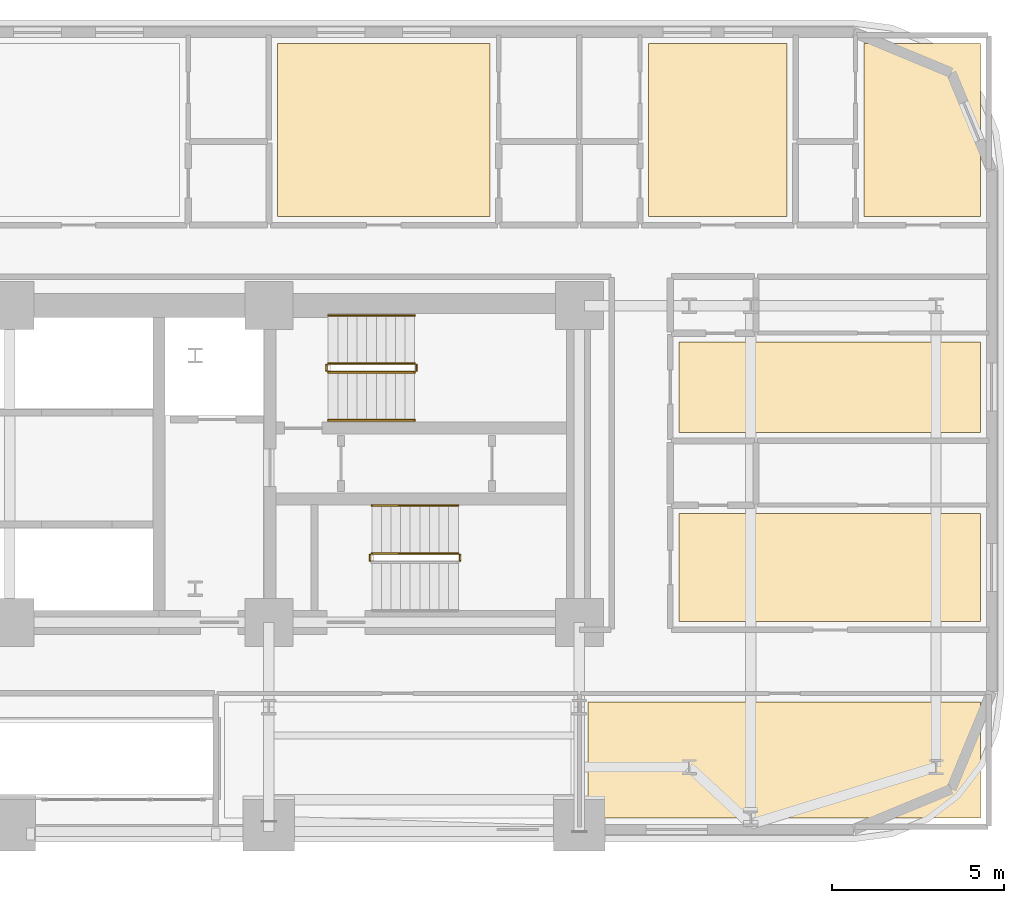
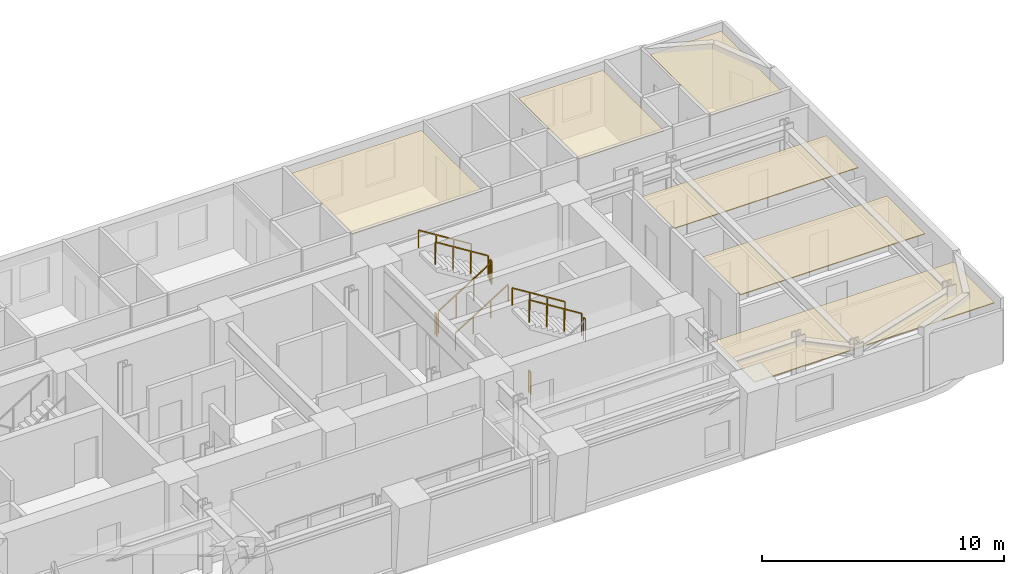
# One storey, part 16 of 16: 10 railings, 6 coverings.
"""IFC4 building model written with IfcOpenShell, lengths in metres."""

from ifc_helpers import new_model, si_unit, direction, frame, origin, origin_2d, place, context, subcontext, project, spatial, polyline, rectangle, outline, extrude, material, layer, layer_set, type_object, element, save


model = new_model("IFC4")

# Units and contexts
model_context = context("Model", 3, precision=1e-05, world=origin(), true_north=direction((0.0, 1.0)))
body_context = subcontext(model_context, "Body", "Model", "MODEL_VIEW")
ifc_project = project(units=[si_unit("LENGTHUNIT", "METRE"), si_unit("AREAUNIT", "SQUARE_METRE"), si_unit("VOLUMEUNIT", "CUBIC_METRE"), si_unit("PLANEANGLEUNIT", "RADIAN"), si_unit("MASSUNIT", "GRAM", prefix="KILO")], contexts=[model_context])

# Site, building, storey
site_placement = place(None, origin())
site = spatial("IfcSite", under=ifc_project, at=site_placement, CompositionType="ELEMENT")
building_placement = place(site_placement, origin())
building = spatial("IfcBuilding", under=site, at=building_placement, Name="Zarnavel Station Tower", CompositionType="ELEMENT")
storey_placement = place(building_placement, frame((0.0, 0.0, 46.5)))
storey = spatial("IfcBuildingStorey", under=building, at=storey_placement, Name="L12", CompositionType="ELEMENT", Elevation=46.5)

# Coverings
ifc_material_1 = material(Name="Perforated Gypsum and Mineral-Wool Acoustic Ceiling", Category="concrete")
ifc_layer = layer(ifc_material_1, 0.0400390625)
ifc_layer_set = layer_set([ifc_layer], Name="COV_CEIL_ACOUSTIC")
covering_type = type_object("IfcCoveringType", Name="COV_CEIL_ACOUSTIC", PredefinedType="CEILING", material=ifc_layer_set)
covering_1_placement = place(storey_placement, frame((0.0, 0.0, 2.919921875)))
element("IfcCovering", 1, at=covering_1_placement, inside=storey, type_object=covering_type, Name="L12 FNE1R Acoustic Ceiling", PredefinedType="CEILING", context=body_context, shape_type="SweptSolid", body=[
    extrude(outline(polyline([(48.300048828125, 27.85009765625), (57.090087890625, 27.85009765625), (57.090087890625, 30.986083984375), (48.300048828125, 30.986083984375), (48.300048828125, 27.85009765625)])), origin(), (0.0, 0.0, 1.0), 0.0400390625),
])
covering_2_placement = place(storey_placement, frame((0.0, 0.0, 2.919921875)))
element("IfcCovering", 2, at=covering_2_placement, inside=storey, type_object=covering_type, Name="L12 FNE2R Acoustic Ceiling", PredefinedType="CEILING", context=body_context, shape_type="SweptSolid", body=[
    extrude(outline(polyline([(48.300048828125, 33.35888671875), (57.090087890625, 33.35888671875), (57.090087890625, 36.0), (48.300048828125, 36.0), (48.300048828125, 33.35888671875)])), origin(), (0.0, 0.0, 1.0), 0.0400390625),
])
covering_3_placement = place(storey_placement, frame((0.0, 0.0, 2.919921875)))
element("IfcCovering", 3, at=covering_3_placement, inside=storey, type_object=covering_type, Name="L12 HN4R Acoustic Ceiling", PredefinedType="CEILING", context=body_context, shape_type="SweptSolid", body=[
    extrude(outline(polyline([(36.60009765625, 39.64990234375), (42.800048828125, 39.64990234375), (42.800048828125, 44.68994140625), (36.60009765625, 44.68994140625), (36.60009765625, 39.64990234375)])), origin(), (0.0, 0.0, 1.0), 0.0400390625),
])
covering_4_placement = place(storey_placement, frame((0.0, 0.0, 2.919921875)))
element("IfcCovering", 4, at=covering_4_placement, inside=storey, type_object=covering_type, Name="L12 HN5R Acoustic Ceiling", PredefinedType="CEILING", context=body_context, shape_type="SweptSolid", body=[
    extrude(outline(polyline([(47.4150390625, 39.64990234375), (51.4541015625, 39.64990234375), (51.4541015625, 44.68994140625), (47.4150390625, 44.68994140625), (47.4150390625, 39.64990234375)])), origin(), (0.0, 0.0, 1.0), 0.0400390625),
])
covering_5_placement = place(storey_placement, frame((0.0, 0.0, 2.919921875)))
element("IfcCovering", 5, at=covering_5_placement, inside=storey, type_object=covering_type, Name="L12 HN6R Acoustic Ceiling", PredefinedType="CEILING", context=body_context, shape_type="SweptSolid", body=[
    extrude(outline(polyline([(53.7041015625, 39.64990234375), (57.090087890625, 39.64990234375), (57.090087890625, 44.68994140625), (53.7041015625, 44.68994140625), (53.7041015625, 39.64990234375)])), origin(), (0.0, 0.0, 1.0), 0.0400390625),
])
covering_6_placement = place(storey_placement, frame((0.0, 0.0, 2.919921875)))
element("IfcCovering", 6, at=covering_6_placement, inside=storey, type_object=covering_type, Name="L12 Z1SYN Acoustic Ceiling", PredefinedType="CEILING", context=body_context, shape_type="SweptSolid", body=[
    extrude(outline(polyline([(45.64990234375, 22.110107421875), (57.090087890625, 22.110107421875), (57.090087890625, 25.5), (45.64990234375, 25.5), (45.64990234375, 22.110107421875)])), origin(), (0.0, 0.0, 1.0), 0.0400390625),
])

# Railings
ifc_material_2 = material(Name="Painted Steel S355J2 Balustrade", Category="steel")
railing_type_1 = type_object("IfcRailingType", Name="GR_INT_1150", PredefinedType="GUARDRAIL", material=ifc_material_2)
railing_1_placement = place(storey_placement, frame((38.080078125, 35.110107421875, 0.175048828125)))
element("IfcRailing", 7, at=railing_1_placement, inside=storey, type_object=railing_type_1, Name="L12 ST2 stair guard 1", PredefinedType="GUARDRAIL", context=body_context, shape_type="SweptSolid", body=[
    extrude(rectangle(XDim=0.048095703125, YDim=0.048095703125, at=origin_2d()), frame((0.001708984375, 0.0, 1.126953125), z_axis=(0.848007534815, 0.0, 0.529984170421), x_axis=(0.0, 1.0, 0.0)), (0.0, 0.0, 1.0), 2.9677734375),
    extrude(rectangle(XDim=0.0419921875, YDim=0.0419921875, at=origin_2d()), origin(), (0.0, 0.0, 1.0), 1.101806640625),
    extrude(rectangle(XDim=0.0419921875, YDim=0.0419921875, at=origin_2d()), frame((0.840087890625, 0.0, 0.52490234375)), (0.0, 0.0, 1.0), 1.101806640625),
    extrude(rectangle(XDim=0.0419921875, YDim=0.0419921875, at=origin_2d()), frame((1.679931640625, 0.0, 1.050048828125)), (0.0, 0.0, 1.0), 1.101806640625),
    extrude(rectangle(XDim=0.0419921875, YDim=0.0419921875, at=origin_2d()), frame((2.52001953125, 0.0, 1.574951171875)), (0.0, 0.0, 1.0), 1.101806640625),
])
railing_2_placement = place(storey_placement, frame((40.64990234375, 35.159912109375, 1.75)))
element("IfcRailing", 8, at=railing_2_placement, inside=storey, type_object=railing_type_1, Name="L12 ST2 stair guard 2", PredefinedType="GUARDRAIL", context=body_context, shape_type="SweptSolid", body=[
    extrude(rectangle(XDim=0.048095703125, YDim=0.048095703125, at=origin_2d()), frame((0.0, 0.001953125, 1.1259765625), z_axis=(0.0, 1.0, 0.0), x_axis=(-1.0, 0.0, 0.0)), (0.0, 0.0, 1.0), 0.15625),
    extrude(rectangle(XDim=0.0419921875, YDim=0.0419921875, at=origin_2d()), origin(), (0.0, 0.0, 1.0), 1.101806640625),
    extrude(rectangle(XDim=0.0419921875, YDim=0.0419921875, at=origin_2d()), frame((0.0, 0.16015625, 0.0)), (0.0, 0.0, 1.0), 1.101806640625),
])
railing_3_placement = place(storey_placement, frame((40.60009765625, 35.3701171875, 1.925048828125)))
element("IfcRailing", 9, at=railing_3_placement, inside=storey, type_object=railing_type_1, Name="L12 ST2 stair guard 3", PredefinedType="GUARDRAIL", context=body_context, shape_type="SweptSolid", body=[
    extrude(rectangle(XDim=0.048095703125, YDim=0.048095703125, at=origin_2d()), frame((-0.001708984375, 0.0, 1.126953125), z_axis=(-0.848007534815, 0.0, 0.529984170421), x_axis=(0.0, -1.0, 0.0)), (0.0, 0.0, 1.0), 2.9677734375),
    extrude(rectangle(XDim=0.0419921875, YDim=0.0419921875, at=origin_2d()), origin(), (0.0, 0.0, 1.0), 1.101806640625),
    extrude(rectangle(XDim=0.0419921875, YDim=0.0419921875, at=origin_2d()), frame((-0.840087890625, 0.0, 0.52490234375)), (0.0, 0.0, 1.0), 1.101806640625),
    extrude(rectangle(XDim=0.0419921875, YDim=0.0419921875, at=origin_2d()), frame((-1.679931640625, 0.0, 1.050048828125)), (0.0, 0.0, 1.0), 1.101806640625),
    extrude(rectangle(XDim=0.0419921875, YDim=0.0419921875, at=origin_2d()), frame((-2.52001953125, 0.0, 1.574951171875)), (0.0, 0.0, 1.0), 1.101806640625),
])
railing_4_placement = place(storey_placement, frame((38.030029296875, 35.159912109375, 0.0)))
element("IfcRailing", 10, at=railing_4_placement, inside=storey, type_object=railing_type_1, Name="L12 ST2 stair guard 4", PredefinedType="GUARDRAIL", context=body_context, shape_type="SweptSolid", body=[
    extrude(rectangle(XDim=0.048095703125, YDim=0.048095703125, at=origin_2d()), frame((0.0, 0.001953125, 1.1259765625), z_axis=(0.0, 1.0, 0.0), x_axis=(-1.0, 0.0, 0.0)), (0.0, 0.0, 1.0), 0.15625),
    extrude(rectangle(XDim=0.0419921875, YDim=0.0419921875, at=origin_2d()), origin(), (0.0, 0.0, 1.0), 1.101806640625),
    extrude(rectangle(XDim=0.0419921875, YDim=0.0419921875, at=origin_2d()), frame((0.0, 0.16015625, 0.0)), (0.0, 0.0, 1.0), 1.101806640625),
])
railing_5_placement = place(storey_placement, frame((41.919921875, 29.6201171875, 1.75)))
element("IfcRailing", 11, at=railing_5_placement, inside=storey, type_object=railing_type_1, Name="L12 ST3 stair guard 2", PredefinedType="GUARDRAIL", context=body_context, shape_type="SweptSolid", body=[
    extrude(rectangle(XDim=0.048095703125, YDim=0.048095703125, at=origin_2d()), frame((0.0, 0.001953125, 1.1259765625), z_axis=(0.0, 1.0, 0.0), x_axis=(-1.0, 0.0, 0.0)), (0.0, 0.0, 1.0), 0.156005859375),
    extrude(rectangle(XDim=0.0419921875, YDim=0.0419921875, at=origin_2d()), origin(), (0.0, 0.0, 1.0), 1.101806640625),
    extrude(rectangle(XDim=0.0419921875, YDim=0.0419921875, at=origin_2d()), frame((0.0, 0.159912109375, 0.0)), (0.0, 0.0, 1.0), 1.101806640625),
])
railing_6_placement = place(storey_placement, frame((41.8701171875, 29.830078125, 1.925048828125)))
element("IfcRailing", 12, at=railing_6_placement, inside=storey, type_object=railing_type_1, Name="L12 ST3 stair guard 3", PredefinedType="GUARDRAIL", context=body_context, shape_type="SweptSolid", body=[
    extrude(rectangle(XDim=0.048095703125, YDim=0.048095703125, at=origin_2d()), frame((-0.001708984375, 0.0, 1.126953125), z_axis=(-0.848007534815, 0.0, 0.529984170421), x_axis=(0.0, -1.0, 0.0)), (0.0, 0.0, 1.0), 2.9677734375),
    extrude(rectangle(XDim=0.0419921875, YDim=0.0419921875, at=origin_2d()), origin(), (0.0, 0.0, 1.0), 1.101806640625),
    extrude(rectangle(XDim=0.0419921875, YDim=0.0419921875, at=origin_2d()), frame((-0.840087890625, 0.0, 0.52490234375)), (0.0, 0.0, 1.0), 1.101806640625),
    extrude(rectangle(XDim=0.0419921875, YDim=0.0419921875, at=origin_2d()), frame((-1.679931640625, 0.0, 1.050048828125)), (0.0, 0.0, 1.0), 1.101806640625),
    extrude(rectangle(XDim=0.0419921875, YDim=0.0419921875, at=origin_2d()), frame((-2.52001953125, 0.0, 1.574951171875)), (0.0, 0.0, 1.0), 1.101806640625),
])
railing_7_placement = place(storey_placement, frame((39.300048828125, 29.6201171875, 0.0)))
element("IfcRailing", 13, at=railing_7_placement, inside=storey, type_object=railing_type_1, Name="L12 ST3 stair guard 4", PredefinedType="GUARDRAIL", context=body_context, shape_type="SweptSolid", body=[
    extrude(rectangle(XDim=0.048095703125, YDim=0.048095703125, at=origin_2d()), frame((0.0, 0.001953125, 1.1259765625), z_axis=(0.0, 1.0, 0.0), x_axis=(-1.0, 0.0, 0.0)), (0.0, 0.0, 1.0), 0.156005859375),
    extrude(rectangle(XDim=0.0419921875, YDim=0.0419921875, at=origin_2d()), origin(), (0.0, 0.0, 1.0), 1.101806640625),
    extrude(rectangle(XDim=0.0419921875, YDim=0.0419921875, at=origin_2d()), frame((0.0, 0.159912109375, 0.0)), (0.0, 0.0, 1.0), 1.101806640625),
])
ifc_material_3 = material(Name="Brushed Stainless Steel S355J2 Handrail", Category="steel")
railing_type_2 = type_object("IfcRailingType", Name="HR_STAIR_900", PredefinedType="HANDRAIL", material=ifc_material_3)
railing_8_placement = place(storey_placement, frame((38.080078125, 33.7099609375, 0.175048828125)))
element("IfcRailing", 14, at=railing_8_placement, inside=storey, type_object=railing_type_2, Name="L12 ST2 stair handrail 1", PredefinedType="HANDRAIL", context=body_context, shape_type="SweptSolid", body=[
    extrude(rectangle(XDim=0.048095703125, YDim=0.048095703125, at=origin_2d()), frame((0.001708984375, 0.0, 0.876953125), z_axis=(0.848007534815, 0.0, 0.529984170421), x_axis=(0.0, 1.0, 0.0)), (0.0, 0.0, 1.0), 2.9677734375),
    extrude(rectangle(XDim=0.0419921875, YDim=0.0419921875, at=origin_2d()), origin(), (0.0, 0.0, 1.0), 0.851806640625),
    extrude(rectangle(XDim=0.0419921875, YDim=0.0419921875, at=origin_2d()), frame((0.840087890625, 0.0, 0.52490234375)), (0.0, 0.0, 1.0), 0.851806640625),
    extrude(rectangle(XDim=0.0419921875, YDim=0.0419921875, at=origin_2d()), frame((1.679931640625, 0.0, 1.050048828125)), (0.0, 0.0, 1.0), 0.851806640625),
    extrude(rectangle(XDim=0.0419921875, YDim=0.0419921875, at=origin_2d()), frame((2.52001953125, 0.0, 1.574951171875)), (0.0, 0.0, 1.0), 0.851806640625),
])
for number, where, name in (
    (15, (40.60009765625, 36.77001953125, 1.925048828125), "L12 ST2 stair handrail 2"),
    (16, (41.8701171875, 31.22998046875, 1.925048828125), "L12 ST3 stair handrail 2"),
):
    element("IfcRailing", number, at=place(storey_placement, frame(where)), inside=storey, type_object=railing_type_2, Name=name, PredefinedType="HANDRAIL", context=body_context, shape_type="SweptSolid", body=[
        extrude(rectangle(XDim=0.048095703125, YDim=0.048095703125, at=origin_2d()), frame((-0.001708984375, 0.0, 0.876953125), z_axis=(-0.848007534815, 0.0, 0.529984170421), x_axis=(0.0, -1.0, 0.0)), (0.0, 0.0, 1.0), 2.9677734375),
        extrude(rectangle(XDim=0.0419921875, YDim=0.0419921875, at=origin_2d()), origin(), (0.0, 0.0, 1.0), 0.851806640625),
        extrude(rectangle(XDim=0.0419921875, YDim=0.0419921875, at=origin_2d()), frame((-0.840087890625, 0.0, 0.52490234375)), (0.0, 0.0, 1.0), 0.851806640625),
        extrude(rectangle(XDim=0.0419921875, YDim=0.0419921875, at=origin_2d()), frame((-1.679931640625, 0.0, 1.050048828125)), (0.0, 0.0, 1.0), 0.851806640625),
        extrude(rectangle(XDim=0.0419921875, YDim=0.0419921875, at=origin_2d()), frame((-2.52001953125, 0.0, 1.574951171875)), (0.0, 0.0, 1.0), 0.851806640625),
    ])

save(model, "model.ifc")
